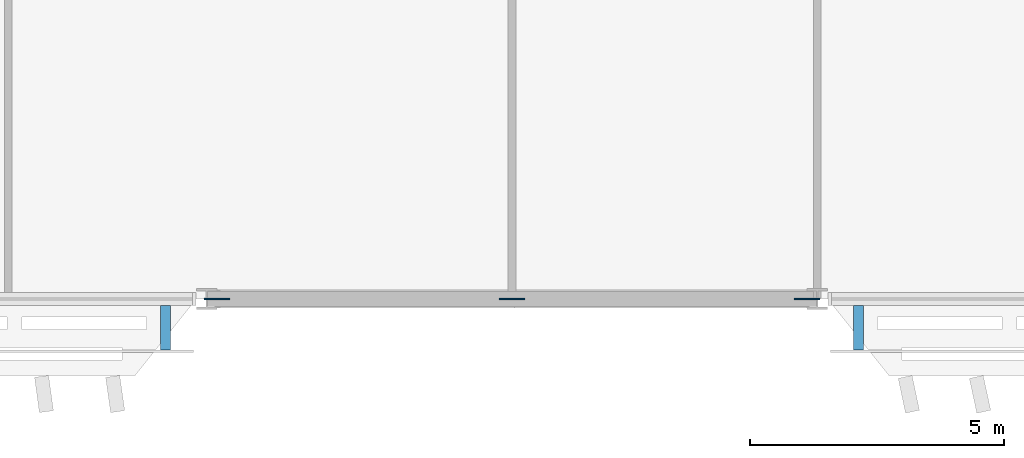
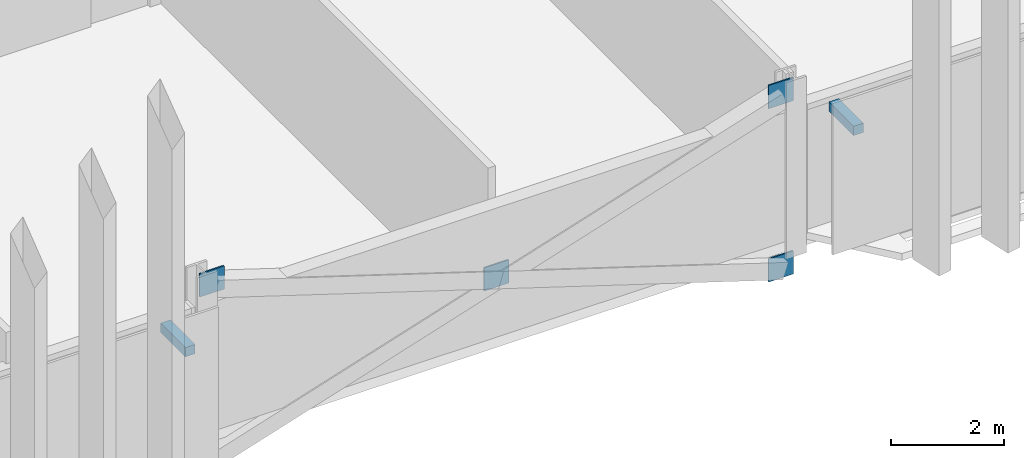
# One storey, part 18 of 30: 6 discrete accessories.
"""IFC4 building model written with IfcOpenShell, lengths in metres."""

from ifc_helpers import new_model, si_unit, direction, frame, origin, origin_2d, place, context, subcontext, project, spatial, rectangle, extrude, material, layer, layer_set, type_object, element, save


model = new_model("IFC4")

# Units and contexts
model_context = context("Model", 3, precision=1e-05, world=origin(), true_north=direction((0.0, 1.0)))
body_context = subcontext(model_context, "Body", "Model", "MODEL_VIEW")
ifc_project = project(units=[si_unit("LENGTHUNIT", "METRE"), si_unit("AREAUNIT", "SQUARE_METRE"), si_unit("VOLUMEUNIT", "CUBIC_METRE"), si_unit("PLANEANGLEUNIT", "RADIAN"), si_unit("MASSUNIT", "GRAM", prefix="KILO")], contexts=[model_context])

# Site, building, storey
site_placement = place(None, origin())
site = spatial("IfcSite", under=ifc_project, at=site_placement, CompositionType="ELEMENT")
building_placement = place(site_placement, origin())
building = spatial("IfcBuilding", under=site, at=building_placement, Name="Mahtab Terrace Research Tower", CompositionType="ELEMENT")
storey_placement = place(building_placement, frame((0.0, 0.0, 159.199951171875)))
storey = spatial("IfcBuildingStorey", under=building, at=storey_placement, Name="L37", CompositionType="ELEMENT", Elevation=159.199951171875)

# Discrete accessories
ifc_material_1 = material(Name="Black anodised aluminium", Category="aluminium")
discrete_accessory_type_1 = type_object("IfcDiscreteAccessoryType", Name="Facade bracket", PredefinedType="BRACKET", material=ifc_material_1)
for number, where, z_axis, x_axis, name in (
    (1, (-6.80810546875, -23.5625, 2.48193359375), (0.0, 0.0, 1.0), (1.0, 0.0, 0.0), "Screen bracket Girih screen L37 S26"),
    (2, (6.80810546875, -23.5625, 2.48193359375), (0.0, 0.0, 1.0), (1.0, 0.0, 0.0), "Screen bracket Girih screen L37 S28"),
):
    element("IfcDiscreteAccessory", number, at=place(storey_placement, frame(where, z_axis=z_axis, x_axis=x_axis)), inside=storey, type_object=discrete_accessory_type_1, Name=name, PredefinedType="BRACKET", context=body_context, shape_type="SweptSolid", body=[
        extrude(rectangle(XDim=0.199951171875, YDim=0.875, at=origin_2d()), origin(), (0.0, 0.0, 1.0), 0.199951171875),
    ])
ifc_material_2 = material(Name="Steel ASTM A992 Gr 50", Category="steel")
ifc_layer = layer(ifc_material_2, 0.030029296875)
ifc_layer_set = layer_set([ifc_layer], Name="Gusset plate 500x500x30")
discrete_accessory_type_2 = type_object("IfcDiscreteAccessoryType", Name="Gusset plate 500x500x30", PredefinedType="USERDEFINED", material=ifc_layer_set)
for number, where, z_axis, x_axis, name in (
    (3, (-5.796875, -23.0, 2.870849609375), (0.0, 0.0, 1.0), (1.0, 0.0, 0.0), "Gusset plate"),
    (4, (0.0, -23.0, 0.970947265625), (0.0, 0.0, 1.0), (1.0, 0.0, 0.0), "Gusset plate"),
    (5, (5.796875, -23.0, -0.86474609375), (0.0, 0.0, 1.0), (1.0, 0.0, 0.0), "Gusset plate"),
    (6, (5.796875, -23.0, 2.870849609375), (0.0, 0.0, 1.0), (1.0, 0.0, 0.0), "Gusset plate"),
):
    element("IfcDiscreteAccessory", number, at=place(storey_placement, frame(where, z_axis=z_axis, x_axis=x_axis)), inside=storey, type_object=discrete_accessory_type_2, Name=name, ObjectType="GUSSET PLATE", PredefinedType="USERDEFINED", context=body_context, shape_type="SweptSolid", body=[
        extrude(rectangle(XDim=0.5, YDim=0.030029296875, at=origin_2d()), origin(), (0.0, 0.0, 1.0), 0.5),
    ])

save(model, "model.ifc")
